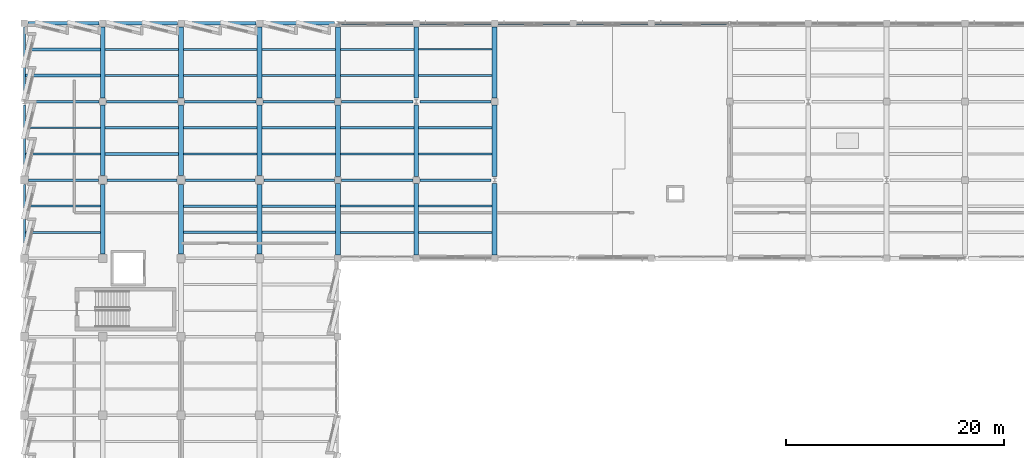
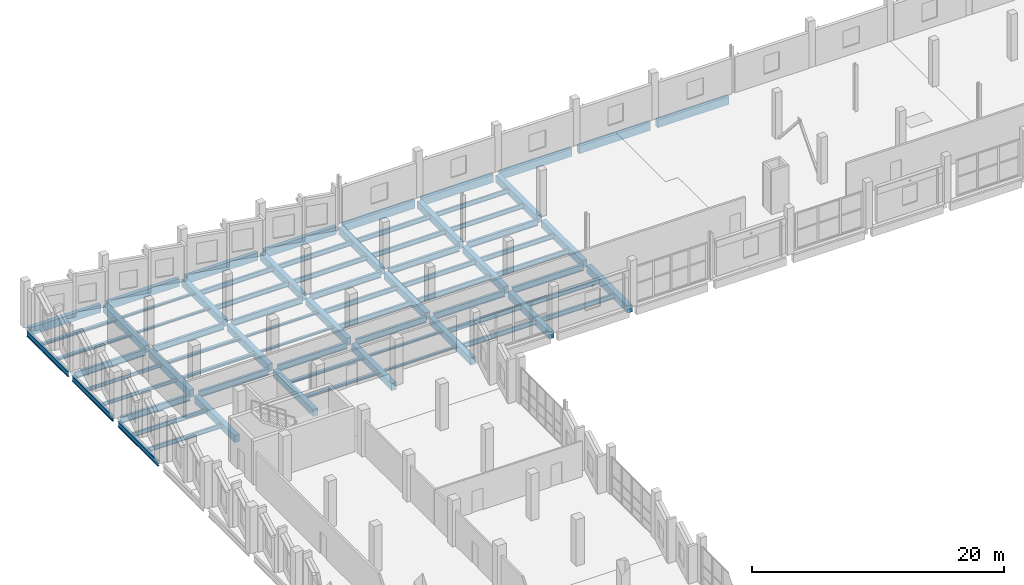
# One storey, part 51 of 123: 76 beams.
"""IFC4 building model written with IfcOpenShell, lengths in metres."""

from ifc_helpers import new_model, si_unit, direction, frame, origin, origin_2d, place, context, subcontext, project, spatial, rectangle, i_section, extrude, material, material_profile, profile_set, type_object, element, save


model = new_model("IFC4")

# Units and contexts
model_context = context("Model", 3, precision=1e-05, world=origin(), true_north=direction((0.0, 1.0)))
body_context = subcontext(model_context, "Body", "Model", "MODEL_VIEW")
ifc_project = project(units=[si_unit("LENGTHUNIT", "METRE"), si_unit("AREAUNIT", "SQUARE_METRE"), si_unit("VOLUMEUNIT", "CUBIC_METRE"), si_unit("PLANEANGLEUNIT", "RADIAN"), si_unit("MASSUNIT", "GRAM", prefix="KILO")], contexts=[model_context])

# Site, building, storey
site_placement = place(None, origin())
site = spatial("IfcSite", under=ifc_project, at=site_placement, CompositionType="ELEMENT")
building_placement = place(site_placement, origin())
building = spatial("IfcBuilding", under=site, at=building_placement, Name="Kalmorath City Hall", CompositionType="ELEMENT")
storey_placement = place(building_placement, frame((0.0, 0.0, 10.199951171875)))
storey = spatial("IfcBuildingStorey", under=building, at=storey_placement, Name="L02", CompositionType="ELEMENT", Elevation=10.199951171875)

# Beams
ifc_material_1 = material(Name="Concrete C40/50", Category="concrete")
ifc_material_profile_1 = material_profile(ifc_material_1, rectangle(XDim=0.449951171875, YDim=0.699951171875, at=origin_2d()), Name="RC-BM-450X700")
ifc_profile_set_1 = profile_set([ifc_material_profile_1], Name="Concrete C40/50")
beam_type_1 = type_object("IfcBeamType", Name="Concrete floor beam 450x700", PredefinedType="BEAM", material=ifc_profile_set_1)
beam_1_placement = place(storey_placement, frame((7.199951171875, 94.0, -0.634033203125), z_axis=(0.0, 1.0, 0.0), x_axis=(-1.0, 0.0, 0.0)))
element("IfcBeam", 1, at=beam_1_placement, inside=storey, type_object=beam_type_1, Name="L02 girder CB4 Y2/14-15", PredefinedType="BEAM", context=body_context, shape_type="SweptSolid", body=[
    extrude(rectangle(XDim=0.449951171875, YDim=0.699951171875, at=origin_2d()), origin(), (0.0, 0.0, 1.0), 6.39990234375),
])
beam_2_placement = place(storey_placement, frame((7.199951171875, 101.199951171875, -0.634033203125), z_axis=(0.0, 1.0, 0.0), x_axis=(-1.0, 0.0, 0.0)))
element("IfcBeam", 2, at=beam_2_placement, inside=storey, type_object=beam_type_1, Name="L02 girder CB4 Y2/15-16", PredefinedType="BEAM", context=body_context, shape_type="SweptSolid", body=[
    extrude(rectangle(XDim=0.449951171875, YDim=0.699951171875, at=origin_2d()), origin(), (0.0, 0.0, 1.0), 6.47509765625),
])
beam_3_placement = place(storey_placement, frame((7.199951171875, 108.324951171875, -0.634033203125), z_axis=(0.0, 1.0, 0.0), x_axis=(-1.0, 0.0, 0.0)))
element("IfcBeam", 3, at=beam_3_placement, inside=storey, type_object=beam_type_1, Name="L02 girder CB4 Y2/16-17", PredefinedType="BEAM", context=body_context, shape_type="SweptSolid", body=[
    extrude(rectangle(XDim=0.449951171875, YDim=0.699951171875, at=origin_2d()), origin(), (0.0, 0.0, 1.0), 6.550048828125),
])
beam_4_placement = place(storey_placement, frame((14.39990234375, 94.0, -0.634033203125), z_axis=(0.0, 1.0, 0.0), x_axis=(-1.0, 0.0, 0.0)))
element("IfcBeam", 4, at=beam_4_placement, inside=storey, type_object=beam_type_1, Name="L02 girder CB4 Y3/14-15", PredefinedType="BEAM", context=body_context, shape_type="SweptSolid", body=[
    extrude(rectangle(XDim=0.449951171875, YDim=0.699951171875, at=origin_2d()), origin(), (0.0, 0.0, 1.0), 6.39990234375),
])
beam_5_placement = place(storey_placement, frame((14.39990234375, 101.199951171875, -0.634033203125), z_axis=(0.0, 1.0, 0.0), x_axis=(-1.0, 0.0, 0.0)))
element("IfcBeam", 5, at=beam_5_placement, inside=storey, type_object=beam_type_1, Name="L02 girder CB4 Y3/15-16", PredefinedType="BEAM", context=body_context, shape_type="SweptSolid", body=[
    extrude(rectangle(XDim=0.449951171875, YDim=0.699951171875, at=origin_2d()), origin(), (0.0, 0.0, 1.0), 6.47509765625),
])
beam_6_placement = place(storey_placement, frame((14.39990234375, 108.324951171875, -0.634033203125), z_axis=(0.0, 1.0, 0.0), x_axis=(-1.0, 0.0, 0.0)))
element("IfcBeam", 6, at=beam_6_placement, inside=storey, type_object=beam_type_1, Name="L02 girder CB4 Y3/16-17", PredefinedType="BEAM", context=body_context, shape_type="SweptSolid", body=[
    extrude(rectangle(XDim=0.449951171875, YDim=0.699951171875, at=origin_2d()), origin(), (0.0, 0.0, 1.0), 6.550048828125),
])
beam_7_placement = place(storey_placement, frame((21.60009765625, 94.0, -0.634033203125), z_axis=(0.0, 1.0, 0.0), x_axis=(-1.0, 0.0, 0.0)))
element("IfcBeam", 7, at=beam_7_placement, inside=storey, type_object=beam_type_1, Name="L02 girder CB4 Y4/14-15", PredefinedType="BEAM", context=body_context, shape_type="SweptSolid", body=[
    extrude(rectangle(XDim=0.449951171875, YDim=0.699951171875, at=origin_2d()), origin(), (0.0, 0.0, 1.0), 6.39990234375),
])
beam_8_placement = place(storey_placement, frame((21.60009765625, 101.199951171875, -0.634033203125), z_axis=(0.0, 1.0, 0.0), x_axis=(-1.0, 0.0, 0.0)))
element("IfcBeam", 8, at=beam_8_placement, inside=storey, type_object=beam_type_1, Name="L02 girder CB4 Y4/15-16", PredefinedType="BEAM", context=body_context, shape_type="SweptSolid", body=[
    extrude(rectangle(XDim=0.449951171875, YDim=0.699951171875, at=origin_2d()), origin(), (0.0, 0.0, 1.0), 6.47509765625),
])
for number, where, z_axis, x_axis, name in (
    (9, (21.60009765625, 108.324951171875, -0.634033203125), (0.0, 1.0, 0.0), (-1.0, 0.0, 0.0), "L02 girder CB4 Y4/16-17"),
    (10, (28.800048828125, 93.925048828125, -0.634033203125), (0.0, 1.0, 0.0), (-1.0, 0.0, 0.0), "L02 girder CB4 Y5/14-15"),
    (11, (28.800048828125, 101.125, -0.634033203125), (0.0, 1.0, 0.0), (-1.0, 0.0, 0.0), "L02 girder CB4 Y5/15-16"),
    (12, (28.800048828125, 108.324951171875, -0.634033203125), (0.0, 1.0, 0.0), (-1.0, 0.0, 0.0), "L02 girder CB4 Y5/16-17"),
    (13, (36.0, 93.925048828125, -0.634033203125), (0.0, 1.0, 0.0), (-1.0, 0.0, 0.0), "L02 girder CB4 Y6/14-15"),
    (14, (36.0, 101.125, -0.634033203125), (0.0, 1.0, 0.0), (-1.0, 0.0, 0.0), "L02 girder CB4 Y6/15-16"),
    (15, (36.0, 108.324951171875, -0.634033203125), (0.0, 1.0, 0.0), (-1.0, 0.0, 0.0), "L02 girder CB4 Y6/16-17"),
    (16, (43.199951171875, 93.925048828125, -0.634033203125), (0.0, 1.0, 0.0), (-1.0, 0.0, 0.0), "L02 girder CB4 Y7/14-15"),
    (17, (43.199951171875, 101.125, -0.634033203125), (0.0, 1.0, 0.0), (-1.0, 0.0, 0.0), "L02 girder CB4 Y7/15-16"),
    (18, (43.199951171875, 108.324951171875, -0.634033203125), (0.0, 1.0, 0.0), (-1.0, 0.0, 0.0), "L02 girder CB4 Y7/16-17"),
):
    element("IfcBeam", number, at=place(storey_placement, frame(where, z_axis=z_axis, x_axis=x_axis)), inside=storey, type_object=beam_type_1, Name=name, PredefinedType="BEAM", context=body_context, shape_type="SweptSolid", body=[
        extrude(rectangle(XDim=0.449951171875, YDim=0.699951171875, at=origin_2d()), origin(), (0.0, 0.0, 1.0), 6.550048828125),
    ])
ifc_material_2 = material(Name="Precast concrete C40/50", Category="concrete")
ifc_material_profile_2 = material_profile(ifc_material_2, rectangle(XDim=0.35009765625, YDim=0.75, at=origin_2d()), Name="PC-SP-350X750")
ifc_profile_set_2 = profile_set([ifc_material_profile_2], Name="Precast concrete C40/50")
beam_type_2 = type_object("IfcBeamType", Name="Precast spandrel lintel 350x750", PredefinedType="LINTEL", material=ifc_profile_set_2)
for number, where, z_axis, x_axis, name in (
    (19, (0.324951171875, 115.199951171875, -0.658935546875), (1.0, 0.0, 0.0), (0.0, 1.0, 0.0), "L02 girder PSB1 X1-2/17"),
    (20, (7.52490234375, 115.199951171875, -0.658935546875), (1.0, 0.0, 0.0), (0.0, 1.0, 0.0), "L02 girder PSB1 X2-3/17"),
):
    element("IfcBeam", number, at=place(storey_placement, frame(where, z_axis=z_axis, x_axis=x_axis)), inside=storey, type_object=beam_type_2, Name=name, PredefinedType="LINTEL", context=body_context, shape_type="SweptSolid", body=[
        extrude(rectangle(XDim=0.35009765625, YDim=0.75, at=origin_2d()), origin(), (0.0, 0.0, 1.0), 6.550048828125),
    ])
beam_9_placement = place(storey_placement, frame((14.72509765625, 115.199951171875, -0.658935546875), z_axis=(1.0, 0.0, 0.0), x_axis=(0.0, 1.0, 0.0)))
element("IfcBeam", 21, at=beam_9_placement, inside=storey, type_object=beam_type_2, Name="L02 girder PSB1 X3-4/17", PredefinedType="LINTEL", context=body_context, shape_type="SweptSolid", body=[
    extrude(rectangle(XDim=0.35009765625, YDim=0.75, at=origin_2d()), origin(), (0.0, 0.0, 1.0), 6.5498046875),
])
for number, where, z_axis, x_axis, name in (
    (22, (21.925048828125, 115.199951171875, -0.658935546875), (1.0, 0.0, 0.0), (0.0, 1.0, 0.0), "L02 girder PSB1 X4-5/17"),
    (23, (29.125, 115.199951171875, -0.658935546875), (1.0, 0.0, 0.0), (0.0, 1.0, 0.0), "L02 girder PSB1 X5-6/17"),
    (24, (36.324951171875, 115.199951171875, -0.658935546875), (1.0, 0.0, 0.0), (0.0, 1.0, 0.0), "L02 girder PSB1 X6-7/17"),
    (25, (43.52490234375, 115.199951171875, -0.658935546875), (1.0, 0.0, 0.0), (0.0, 1.0, 0.0), "L02 girder PSB1 X7-8/17"),
):
    element("IfcBeam", number, at=place(storey_placement, frame(where, z_axis=z_axis, x_axis=x_axis)), inside=storey, type_object=beam_type_2, Name=name, PredefinedType="LINTEL", context=body_context, shape_type="SweptSolid", body=[
        extrude(rectangle(XDim=0.35009765625, YDim=0.75, at=origin_2d()), origin(), (0.0, 0.0, 1.0), 6.550048828125),
    ])
beam_10_placement = place(storey_placement, frame((50.72509765625, 115.199951171875, -0.658935546875), z_axis=(1.0, 0.0, 0.0), x_axis=(0.0, 1.0, 0.0)))
element("IfcBeam", 26, at=beam_10_placement, inside=storey, type_object=beam_type_2, Name="L02 girder PSB1 X8-9/17", PredefinedType="LINTEL", context=body_context, shape_type="SweptSolid", body=[
    extrude(rectangle(XDim=0.35009765625, YDim=0.75, at=origin_2d()), origin(), (0.0, 0.0, 1.0), 6.5498046875),
])
beam_11_placement = place(storey_placement, frame((57.925048828125, 115.199951171875, -0.658935546875), z_axis=(1.0, 0.0, 0.0), x_axis=(0.0, 1.0, 0.0)))
element("IfcBeam", 27, at=beam_11_placement, inside=storey, type_object=beam_type_2, Name="L02 girder PSB1 X9-10/17", PredefinedType="LINTEL", context=body_context, shape_type="SweptSolid", body=[
    extrude(rectangle(XDim=0.35009765625, YDim=0.75, at=origin_2d()), origin(), (0.0, 0.0, 1.0), 6.550048828125),
])
ifc_material_3 = material(Name="Steel ASTM A992 Grade 50", Category="steel")
ifc_material_profile_3 = material_profile(ifc_material_3, i_section(OverallWidth=0.177001953125, OverallDepth=0.403076171875, WebThickness=0.007568359375, FlangeThickness=0.010986328125, FilletRadius=0.012939453125, at=origin_2d()), Name="W16X36")
ifc_profile_set_3 = profile_set([ifc_material_profile_3], Name="Steel ASTM A992 Grade 50")
beam_type_3 = type_object("IfcBeamType", Name="Steel composite joist W16X36", PredefinedType="JOIST", material=ifc_profile_set_3)
for number, where, z_axis, x_axis, name in (
    (28, (0.08251953125, 96.0, -0.4853515625), (1.0, 0.0, 0.0), (0.0, 1.0, 0.0), "L02 joist SJ7 1.14.1"),
    (29, (0.08251953125, 98.39990234375, -0.4853515625), (1.0, 0.0, 0.0), (0.0, 1.0, 0.0), "L02 joist SJ7 1.14.2"),
):
    element("IfcBeam", number, at=place(storey_placement, frame(where, z_axis=z_axis, x_axis=x_axis)), inside=storey, type_object=beam_type_3, Name=name, PredefinedType="JOIST", context=body_context, shape_type="SweptSolid", body=[
        extrude(i_section(OverallWidth=0.177001953125, OverallDepth=0.403076171875, WebThickness=0.007568359375, FlangeThickness=0.010986328125, FilletRadius=0.012939453125, at=origin_2d()), origin(), (0.0, 0.0, 1.0), 6.892578125),
    ])
ifc_material_4 = material(Name="Steel ASTM A992 Grade 50", Category="steel")
ifc_material_profile_4 = material_profile(ifc_material_4, i_section(OverallWidth=0.153076171875, OverallDepth=0.455078125, WebThickness=0.008056640625, FlangeThickness=0.01318359375, FilletRadius=0.013916015625, at=origin_2d()), Name="W18X40")
ifc_profile_set_4 = profile_set([ifc_material_profile_4], Name="Steel ASTM A992 Grade 50")
beam_type_4 = type_object("IfcBeamType", Name="Steel composite joist W18X40", PredefinedType="JOIST", material=ifc_profile_set_4)
for number, where, z_axis, x_axis, name in (
    (30, (36.22509765625, 110.39990234375, -0.511474609375), (1.0, 0.0, 0.0), (0.0, 1.0, 0.0), "L02 joist SJ4 6.16.1"),
    (31, (36.22509765625, 112.800048828125, -0.511474609375), (1.0, 0.0, 0.0), (0.0, 1.0, 0.0), "L02 joist SJ4 6.16.2"),
):
    element("IfcBeam", number, at=place(storey_placement, frame(where, z_axis=z_axis, x_axis=x_axis)), inside=storey, type_object=beam_type_4, Name=name, PredefinedType="JOIST", context=body_context, shape_type="SweptSolid", body=[
        extrude(i_section(OverallWidth=0.153076171875, OverallDepth=0.455078125, WebThickness=0.008056640625, FlangeThickness=0.01318359375, FilletRadius=0.013916015625, at=origin_2d()), origin(), (0.0, 0.0, 1.0), 6.75),
    ])
ifc_material_5 = material(Name="Steel ASTM A992 Grade 50", Category="steel")
ifc_material_profile_5 = material_profile(ifc_material_5, i_section(OverallWidth=0.19091796875, OverallDepth=0.45703125, WebThickness=0.009033203125, FlangeThickness=0.014404296875, FilletRadius=0.013916015625, at=origin_2d()), Name="W18X50")
ifc_profile_set_5 = profile_set([ifc_material_profile_5], Name="Steel ASTM A992 Grade 50")
beam_type_5 = type_object("IfcBeamType", Name="Steel composite joist W18X50", PredefinedType="JOIST", material=ifc_profile_set_5)
for number, where, z_axis, x_axis, name in (
    (32, (29.02490234375, 110.39990234375, -0.512451171875), (1.0, 0.0, 0.0), (0.0, 1.0, 0.0), "L02 joist SJ3 5.16.1"),
    (33, (29.02490234375, 112.800048828125, -0.512451171875), (1.0, 0.0, 0.0), (0.0, 1.0, 0.0), "L02 joist SJ3 5.16.2"),
    (34, (36.22509765625, 103.199951171875, -0.512451171875), (1.0, 0.0, 0.0), (0.0, 1.0, 0.0), "L02 joist SJ3 6.15.1"),
    (35, (36.22509765625, 105.60009765625, -0.512451171875), (1.0, 0.0, 0.0), (0.0, 1.0, 0.0), "L02 joist SJ3 6.15.2"),
):
    element("IfcBeam", number, at=place(storey_placement, frame(where, z_axis=z_axis, x_axis=x_axis)), inside=storey, type_object=beam_type_5, Name=name, PredefinedType="JOIST", context=body_context, shape_type="SweptSolid", body=[
        extrude(i_section(OverallWidth=0.19091796875, OverallDepth=0.45703125, WebThickness=0.009033203125, FlangeThickness=0.014404296875, FilletRadius=0.013916015625, at=origin_2d()), origin(), (0.0, 0.0, 1.0), 6.75),
    ])
ifc_material_6 = material(Name="Steel ASTM A992 Grade 50", Category="steel")
ifc_material_profile_6 = material_profile(ifc_material_6, i_section(OverallWidth=0.19091796875, OverallDepth=0.4599609375, WebThickness=0.010009765625, FlangeThickness=0.01611328125, FilletRadius=0.013916015625, at=origin_2d()), Name="W18X55")
ifc_profile_set_6 = profile_set([ifc_material_profile_6], Name="Steel ASTM A992 Grade 50")
beam_type_6 = type_object("IfcBeamType", Name="Steel composite joist W18X55", PredefinedType="JOIST", material=ifc_profile_set_6)
for number, where, z_axis, x_axis, name in (
    (36, (21.824951171875, 110.39990234375, -0.513916015625), (1.0, 0.0, 0.0), (0.0, 1.0, 0.0), "L02 joist SJ2 4.16.1"),
    (37, (21.824951171875, 112.800048828125, -0.513916015625), (1.0, 0.0, 0.0), (0.0, 1.0, 0.0), "L02 joist SJ2 4.16.2"),
    (38, (29.02490234375, 103.199951171875, -0.513916015625), (1.0, 0.0, 0.0), (0.0, 1.0, 0.0), "L02 joist SJ2 5.15.1"),
    (39, (29.02490234375, 105.60009765625, -0.513916015625), (1.0, 0.0, 0.0), (0.0, 1.0, 0.0), "L02 joist SJ2 5.15.2"),
    (40, (36.22509765625, 96.0, -0.513916015625), (1.0, 0.0, 0.0), (0.0, 1.0, 0.0), "L02 joist SJ2 6.14.1"),
    (41, (36.22509765625, 98.39990234375, -0.513916015625), (1.0, 0.0, 0.0), (0.0, 1.0, 0.0), "L02 joist SJ2 6.14.2"),
):
    element("IfcBeam", number, at=place(storey_placement, frame(where, z_axis=z_axis, x_axis=x_axis)), inside=storey, type_object=beam_type_6, Name=name, PredefinedType="JOIST", context=body_context, shape_type="SweptSolid", body=[
        extrude(i_section(OverallWidth=0.19091796875, OverallDepth=0.4599609375, WebThickness=0.010009765625, FlangeThickness=0.01611328125, FilletRadius=0.013916015625, at=origin_2d()), origin(), (0.0, 0.0, 1.0), 6.75),
    ])
ifc_material_7 = material(Name="Steel ASTM A992 Grade 50", Category="steel")
ifc_material_profile_7 = material_profile(ifc_material_7, i_section(OverallWidth=0.193115234375, OverallDepth=0.466064453125, WebThickness=0.011474609375, FlangeThickness=0.01904296875, FilletRadius=0.013916015625, at=origin_2d()), Name="W18X65")
ifc_profile_set_7 = profile_set([ifc_material_profile_7], Name="Steel ASTM A992 Grade 50")
beam_type_7 = type_object("IfcBeamType", Name="Steel composite joist W18X65", PredefinedType="JOIST", material=ifc_profile_set_7)
for number, where, z_axis, x_axis, name in (
    (42, (14.625, 110.39990234375, -0.516845703125), (1.0, 0.0, 0.0), (0.0, 1.0, 0.0), "L02 joist SJ1 3.16.1"),
    (43, (14.625, 112.800048828125, -0.516845703125), (1.0, 0.0, 0.0), (0.0, 1.0, 0.0), "L02 joist SJ1 3.16.2"),
    (44, (21.824951171875, 103.199951171875, -0.516845703125), (1.0, 0.0, 0.0), (0.0, 1.0, 0.0), "L02 joist SJ1 4.15.1"),
    (45, (21.824951171875, 105.60009765625, -0.516845703125), (1.0, 0.0, 0.0), (0.0, 1.0, 0.0), "L02 joist SJ1 4.15.2"),
    (46, (29.02490234375, 96.0, -0.516845703125), (1.0, 0.0, 0.0), (0.0, 1.0, 0.0), "L02 joist SJ1 5.14.1"),
    (47, (29.02490234375, 98.39990234375, -0.516845703125), (1.0, 0.0, 0.0), (0.0, 1.0, 0.0), "L02 joist SJ1 5.14.2"),
):
    element("IfcBeam", number, at=place(storey_placement, frame(where, z_axis=z_axis, x_axis=x_axis)), inside=storey, type_object=beam_type_7, Name=name, PredefinedType="JOIST", context=body_context, shape_type="SweptSolid", body=[
        extrude(i_section(OverallWidth=0.193115234375, OverallDepth=0.466064453125, WebThickness=0.011474609375, FlangeThickness=0.01904296875, FilletRadius=0.013916015625, at=origin_2d()), origin(), (0.0, 0.0, 1.0), 6.75),
    ])
ifc_material_8 = material(Name="Steel ASTM A992 Grade 50", Category="steel")
ifc_material_profile_8 = material_profile(ifc_material_8, i_section(OverallWidth=0.202880859375, OverallDepth=0.202880859375, WebThickness=0.007080078125, FlangeThickness=0.010986328125, FilletRadius=0.010986328125, at=origin_2d()), Name="W8X31")
ifc_profile_set_8 = profile_set([ifc_material_profile_8], Name="Steel ASTM A992 Grade 50")
beam_type_8 = type_object("IfcBeamType", Name="Steel edge trimmer W8X31", PredefinedType="LINTEL", material=ifc_profile_set_8)
for number, where, z_axis, x_axis, name in (
    (48, (7.425048828125, 110.39990234375, -0.385498046875), (1.0, 0.0, 0.0), (0.0, 1.0, 0.0), "L02 joist SJ16 2.16.1"),
    (49, (7.425048828125, 112.800048828125, -0.385498046875), (1.0, 0.0, 0.0), (0.0, 1.0, 0.0), "L02 joist SJ16 2.16.2"),
    (50, (14.625, 103.199951171875, -0.385498046875), (1.0, 0.0, 0.0), (0.0, 1.0, 0.0), "L02 joist SJ16 3.15.1"),
    (51, (14.625, 105.60009765625, -0.385498046875), (1.0, 0.0, 0.0), (0.0, 1.0, 0.0), "L02 joist SJ16 3.15.2"),
    (52, (21.824951171875, 96.0, -0.385498046875), (1.0, 0.0, 0.0), (0.0, 1.0, 0.0), "L02 joist SJ16 4.14.1"),
    (53, (21.824951171875, 98.39990234375, -0.385498046875), (1.0, 0.0, 0.0), (0.0, 1.0, 0.0), "L02 joist SJ16 4.14.2"),
):
    element("IfcBeam", number, at=place(storey_placement, frame(where, z_axis=z_axis, x_axis=x_axis)), inside=storey, type_object=beam_type_8, Name=name, PredefinedType="LINTEL", context=body_context, shape_type="SweptSolid", body=[
        extrude(i_section(OverallWidth=0.202880859375, OverallDepth=0.202880859375, WebThickness=0.007080078125, FlangeThickness=0.010986328125, FilletRadius=0.010986328125, at=origin_2d()), origin(), (0.0, 0.0, 1.0), 6.75),
    ])
ifc_material_9 = material(Name="Steel ASTM A992 Grade 50", Category="steel")
ifc_material_profile_9 = material_profile(ifc_material_9, i_section(OverallWidth=0.22900390625, OverallDepth=0.612060546875, WebThickness=0.011962890625, FlangeThickness=0.01953125, FilletRadius=0.01611328125, at=origin_2d()), Name="W24X84")
ifc_profile_set_9 = profile_set([ifc_material_profile_9], Name="Steel ASTM A992 Grade 50")
beam_type_9 = type_object("IfcBeamType", Name="Steel floor girder W24X84", PredefinedType="BEAM", material=ifc_profile_set_9)
beam_12_placement = place(storey_placement, frame((0.39990234375, 100.800048828125, -0.58984375), z_axis=(1.0, 0.0, 0.0), x_axis=(0.0, 1.0, 0.0)))
element("IfcBeam", 54, at=beam_12_placement, inside=storey, type_object=beam_type_9, Name="L02 girder SG8 X1-2/15", PredefinedType="BEAM", context=body_context, shape_type="SweptSolid", body=[
    extrude(i_section(OverallWidth=0.22900390625, OverallDepth=0.612060546875, WebThickness=0.011962890625, FlangeThickness=0.01953125, FilletRadius=0.01611328125, at=origin_2d()), origin(), (0.0, 0.0, 1.0), 6.400146484375),
])
for number, where, z_axis, x_axis, name in (
    (55, (7.60009765625, 100.800048828125, -0.58984375), (1.0, 0.0, 0.0), (0.0, 1.0, 0.0), "L02 girder SG8 X2-3/15"),
    (56, (14.800048828125, 100.800048828125, -0.58984375), (1.0, 0.0, 0.0), (0.0, 1.0, 0.0), "L02 girder SG8 X3-4/15"),
):
    element("IfcBeam", number, at=place(storey_placement, frame(where, z_axis=z_axis, x_axis=x_axis)), inside=storey, type_object=beam_type_9, Name=name, PredefinedType="BEAM", context=body_context, shape_type="SweptSolid", body=[
        extrude(i_section(OverallWidth=0.22900390625, OverallDepth=0.612060546875, WebThickness=0.011962890625, FlangeThickness=0.01953125, FilletRadius=0.01611328125, at=origin_2d()), origin(), (0.0, 0.0, 1.0), 6.39990234375),
    ])
beam_13_placement = place(storey_placement, frame((22.0, 100.800048828125, -0.58984375), z_axis=(1.0, 0.0, 0.0), x_axis=(0.0, 1.0, 0.0)))
element("IfcBeam", 57, at=beam_13_placement, inside=storey, type_object=beam_type_9, Name="L02 girder SG8 X4-5/15", PredefinedType="BEAM", context=body_context, shape_type="SweptSolid", body=[
    extrude(i_section(OverallWidth=0.22900390625, OverallDepth=0.612060546875, WebThickness=0.011962890625, FlangeThickness=0.01953125, FilletRadius=0.01611328125, at=origin_2d()), origin(), (0.0, 0.0, 1.0), 6.47509765625),
])
for number, where, z_axis, x_axis, name in (
    (58, (29.125, 100.800048828125, -0.58984375), (1.0, 0.0, 0.0), (0.0, 1.0, 0.0), "L02 girder SG8 X5-6/15"),
    (59, (36.324951171875, 100.800048828125, -0.58984375), (1.0, 0.0, 0.0), (0.0, 1.0, 0.0), "L02 girder SG8 X6-7/15"),
    (60, (0.324951171875, 108.0, -0.58984375), (1.0, 0.0, 0.0), (0.0, 1.0, 0.0), "L02 girder SG8 X1-2/16"),
    (61, (7.52490234375, 108.0, -0.58984375), (1.0, 0.0, 0.0), (0.0, 1.0, 0.0), "L02 girder SG8 X2-3/16"),
):
    element("IfcBeam", number, at=place(storey_placement, frame(where, z_axis=z_axis, x_axis=x_axis)), inside=storey, type_object=beam_type_9, Name=name, PredefinedType="BEAM", context=body_context, shape_type="SweptSolid", body=[
        extrude(i_section(OverallWidth=0.22900390625, OverallDepth=0.612060546875, WebThickness=0.011962890625, FlangeThickness=0.01953125, FilletRadius=0.01611328125, at=origin_2d()), origin(), (0.0, 0.0, 1.0), 6.550048828125),
    ])
beam_14_placement = place(storey_placement, frame((14.72509765625, 108.0, -0.58984375), z_axis=(1.0, 0.0, 0.0), x_axis=(0.0, 1.0, 0.0)))
element("IfcBeam", 62, at=beam_14_placement, inside=storey, type_object=beam_type_9, Name="L02 girder SG8 X3-4/16", PredefinedType="BEAM", context=body_context, shape_type="SweptSolid", body=[
    extrude(i_section(OverallWidth=0.22900390625, OverallDepth=0.612060546875, WebThickness=0.011962890625, FlangeThickness=0.01953125, FilletRadius=0.01611328125, at=origin_2d()), origin(), (0.0, 0.0, 1.0), 6.5498046875),
])
for number, where, z_axis, x_axis, name in (
    (63, (21.925048828125, 108.0, -0.58984375), (1.0, 0.0, 0.0), (0.0, 1.0, 0.0), "L02 girder SG8 X4-5/16"),
    (64, (29.125, 108.0, -0.58984375), (1.0, 0.0, 0.0), (0.0, 1.0, 0.0), "L02 girder SG8 X5-6/16"),
    (65, (36.324951171875, 108.0, -0.58984375), (1.0, 0.0, 0.0), (0.0, 1.0, 0.0), "L02 girder SG8 X6-7/16"),
):
    element("IfcBeam", number, at=place(storey_placement, frame(where, z_axis=z_axis, x_axis=x_axis)), inside=storey, type_object=beam_type_9, Name=name, PredefinedType="BEAM", context=body_context, shape_type="SweptSolid", body=[
        extrude(i_section(OverallWidth=0.22900390625, OverallDepth=0.612060546875, WebThickness=0.011962890625, FlangeThickness=0.01953125, FilletRadius=0.01611328125, at=origin_2d()), origin(), (0.0, 0.0, 1.0), 6.550048828125),
    ])
ifc_material_10 = material(Name="Steel ASTM A992 Grade 50", Category="steel")
ifc_material_profile_10 = material_profile(ifc_material_10, i_section(OverallWidth=0.1669921875, OverallDepth=0.318115234375, WebThickness=0.007568359375, FlangeThickness=0.01318359375, FilletRadius=0.012939453125, at=origin_2d()), Name="W12X35")
ifc_profile_set_10 = profile_set([ifc_material_profile_10], Name="Steel ASTM A992 Grade 50")
beam_type_10 = type_object("IfcBeamType", Name="Steel header lintel W12X35", PredefinedType="LINTEL", material=ifc_profile_set_10)
for number, where, z_axis, x_axis, name in (
    (66, (0.08251953125, 103.199951171875, -0.44287109375), (1.0, 0.0, 0.0), (0.0, 1.0, 0.0), "L02 joist SJ13 1.15.1"),
    (67, (0.08251953125, 105.60009765625, -0.44287109375), (1.0, 0.0, 0.0), (0.0, 1.0, 0.0), "L02 joist SJ13 1.15.2"),
):
    element("IfcBeam", number, at=place(storey_placement, frame(where, z_axis=z_axis, x_axis=x_axis)), inside=storey, type_object=beam_type_10, Name=name, PredefinedType="LINTEL", context=body_context, shape_type="SweptSolid", body=[
        extrude(i_section(OverallWidth=0.1669921875, OverallDepth=0.318115234375, WebThickness=0.007568359375, FlangeThickness=0.01318359375, FilletRadius=0.012939453125, at=origin_2d()), origin(), (0.0, 0.0, 1.0), 6.892578125),
    ])
ifc_material_11 = material(Name="Steel ASTM A992 Grade 50", Category="steel")
ifc_material_profile_11 = material_profile(ifc_material_11, i_section(OverallWidth=0.1650390625, OverallDepth=0.52490234375, WebThickness=0.0087890625, FlangeThickness=0.011474609375, FilletRadius=0.014892578125, at=origin_2d()), Name="W21X44")
ifc_profile_set_11 = profile_set([ifc_material_profile_11], Name="Steel ASTM A992 Grade 50")
beam_type_11 = type_object("IfcBeamType", Name="Steel spandrel beam W21X44", PredefinedType="SPANDREL", material=ifc_profile_set_11)
beam_15_placement = place(storey_placement, frame((0.0, 94.0, -0.54638671875), z_axis=(0.0, 1.0, 0.0), x_axis=(-1.0, 0.0, 0.0)))
element("IfcBeam", 68, at=beam_15_placement, inside=storey, type_object=beam_type_11, Name="L02 girder SB4 Y1/14-15", PredefinedType="SPANDREL", context=body_context, shape_type="SweptSolid", body=[
    extrude(i_section(OverallWidth=0.1650390625, OverallDepth=0.52490234375, WebThickness=0.0087890625, FlangeThickness=0.011474609375, FilletRadius=0.014892578125, at=origin_2d()), origin(), (0.0, 0.0, 1.0), 6.39990234375),
])
beam_16_placement = place(storey_placement, frame((0.0, 101.199951171875, -0.54638671875), z_axis=(0.0, 1.0, 0.0), x_axis=(-1.0, 0.0, 0.0)))
element("IfcBeam", 69, at=beam_16_placement, inside=storey, type_object=beam_type_11, Name="L02 girder SB4 Y1/15-16", PredefinedType="SPANDREL", context=body_context, shape_type="SweptSolid", body=[
    extrude(i_section(OverallWidth=0.1650390625, OverallDepth=0.52490234375, WebThickness=0.0087890625, FlangeThickness=0.011474609375, FilletRadius=0.014892578125, at=origin_2d()), origin(), (0.0, 0.0, 1.0), 6.47509765625),
])
beam_17_placement = place(storey_placement, frame((0.0, 108.324951171875, -0.54638671875), z_axis=(0.0, 1.0, 0.0), x_axis=(-1.0, 0.0, 0.0)))
element("IfcBeam", 70, at=beam_17_placement, inside=storey, type_object=beam_type_11, Name="L02 girder SB4 Y1/16-17", PredefinedType="SPANDREL", context=body_context, shape_type="SweptSolid", body=[
    extrude(i_section(OverallWidth=0.1650390625, OverallDepth=0.52490234375, WebThickness=0.0087890625, FlangeThickness=0.011474609375, FilletRadius=0.014892578125, at=origin_2d()), origin(), (0.0, 0.0, 1.0), 6.550048828125),
])
ifc_material_12 = material(Name="Steel ASTM A992 Grade 50", Category="steel")
ifc_material_profile_12 = material_profile(ifc_material_12, i_section(OverallWidth=0.25390625, OverallDepth=0.2529296875, WebThickness=0.008544921875, FlangeThickness=0.01416015625, FilletRadius=0.011962890625, at=origin_2d()), Name="W10X49")
ifc_profile_set_12 = profile_set([ifc_material_profile_12], Name="Steel ASTM A992 Grade 50")
beam_type_12 = type_object("IfcBeamType", Name="Steel trimmer beam W10X49", PredefinedType="BEAM", material=ifc_profile_set_12)
for number, where, z_axis, x_axis, name in (
    (71, (0.08251953125, 110.39990234375, -0.410400390625), (1.0, 0.0, 0.0), (0.0, 1.0, 0.0), "L02 joist SJ14 1.16.1"),
    (72, (0.08251953125, 112.800048828125, -0.410400390625), (1.0, 0.0, 0.0), (0.0, 1.0, 0.0), "L02 joist SJ14 1.16.2"),
):
    element("IfcBeam", number, at=place(storey_placement, frame(where, z_axis=z_axis, x_axis=x_axis)), inside=storey, type_object=beam_type_12, Name=name, PredefinedType="BEAM", context=body_context, shape_type="SweptSolid", body=[
        extrude(i_section(OverallWidth=0.25390625, OverallDepth=0.2529296875, WebThickness=0.008544921875, FlangeThickness=0.01416015625, FilletRadius=0.011962890625, at=origin_2d()), origin(), (0.0, 0.0, 1.0), 6.892578125),
    ])
for number, where, z_axis, x_axis, name in (
    (73, (7.425048828125, 103.199951171875, -0.410400390625), (1.0, 0.0, 0.0), (0.0, 1.0, 0.0), "L02 joist SJ14 2.15.1"),
    (74, (7.425048828125, 105.60009765625, -0.410400390625), (1.0, 0.0, 0.0), (0.0, 1.0, 0.0), "L02 joist SJ14 2.15.2"),
    (75, (14.625, 96.0, -0.410400390625), (1.0, 0.0, 0.0), (0.0, 1.0, 0.0), "L02 joist SJ14 3.14.1"),
    (76, (14.625, 98.39990234375, -0.410400390625), (1.0, 0.0, 0.0), (0.0, 1.0, 0.0), "L02 joist SJ14 3.14.2"),
):
    element("IfcBeam", number, at=place(storey_placement, frame(where, z_axis=z_axis, x_axis=x_axis)), inside=storey, type_object=beam_type_12, Name=name, PredefinedType="BEAM", context=body_context, shape_type="SweptSolid", body=[
        extrude(i_section(OverallWidth=0.25390625, OverallDepth=0.2529296875, WebThickness=0.008544921875, FlangeThickness=0.01416015625, FilletRadius=0.011962890625, at=origin_2d()), origin(), (0.0, 0.0, 1.0), 6.75),
    ])

save(model, "model.ifc")
